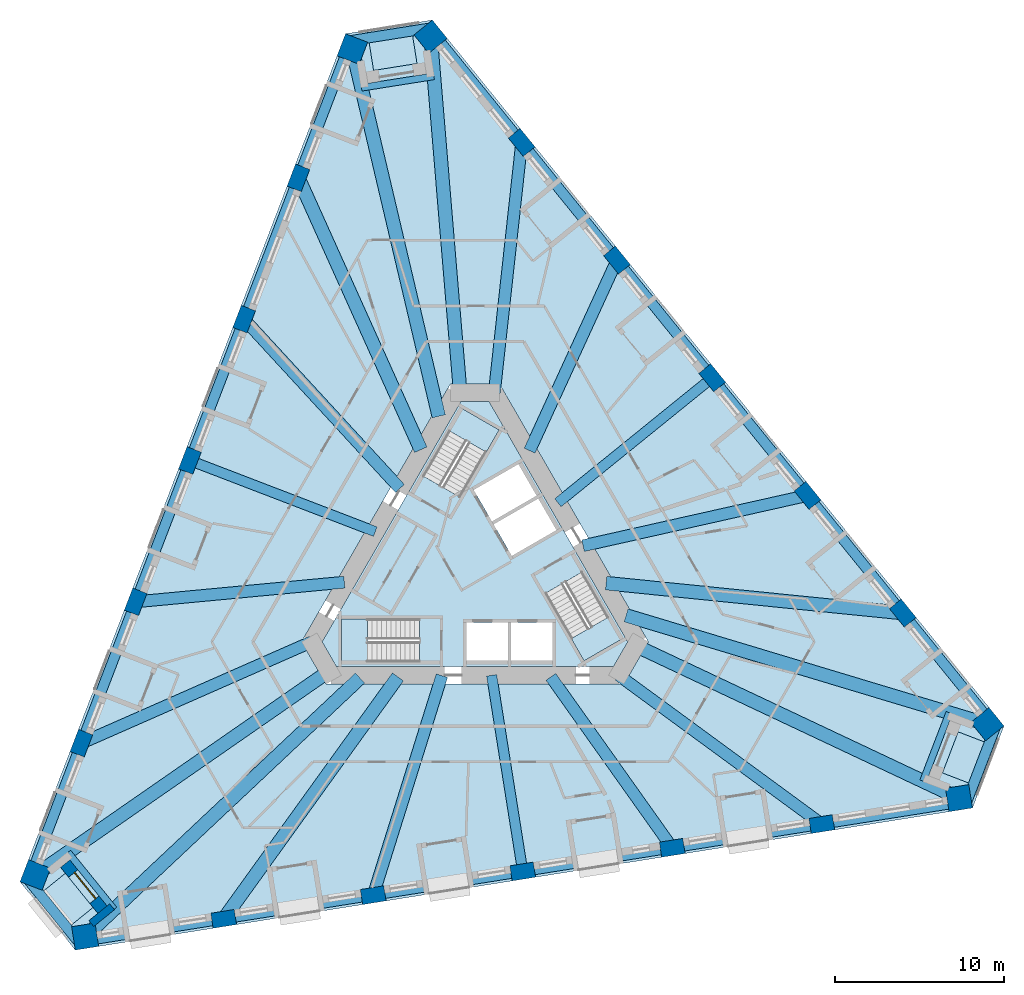
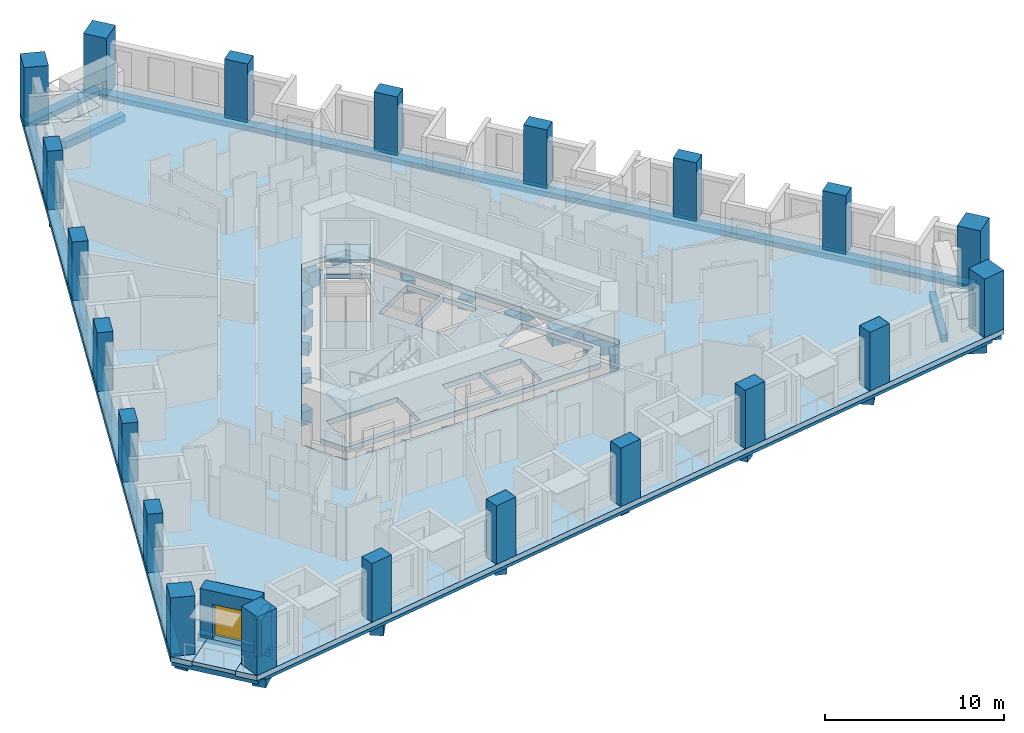
# One storey, part 1 of 14: 30 beams, 21 columns, 8 slabs, 2 walls, 1 door, 1 opening, 3 elements without a shape of their own.
"""IFC4 building model written with IfcOpenShell, lengths in metres."""

from ifc_helpers import new_model, si_unit, direction, frame, frame_2d, origin, origin_2d, place, context, subcontext, project, spatial, polyline, rectangle, outline, extrude, material, layer, layer_set, material_profile, profile_set, type_object, element, fill, aggregate, save


model = new_model("IFC4")

# Units and contexts
model_context = context("Model", 3, precision=1e-05, world=origin(), true_north=direction((0.0, 1.0)))
body_context = subcontext(model_context, "Body", "Model", "MODEL_VIEW")
ifc_project = project(units=[si_unit("LENGTHUNIT", "METRE"), si_unit("AREAUNIT", "SQUARE_METRE"), si_unit("VOLUMEUNIT", "CUBIC_METRE"), si_unit("PLANEANGLEUNIT", "RADIAN"), si_unit("MASSUNIT", "GRAM", prefix="KILO")], contexts=[model_context])

# Site, building, storey
site_placement = place(None, origin())
site = spatial("IfcSite", under=ifc_project, at=site_placement, CompositionType="ELEMENT")
building_placement = place(site_placement, origin())
building = spatial("IfcBuilding", under=site, at=building_placement, Name="Tramontana Tower", CompositionType="ELEMENT")
storey_placement = place(building_placement, frame((0.0, 0.0, 79.199951171875)))
storey = spatial("IfcBuildingStorey", under=building, at=storey_placement, Name="L17", CompositionType="ELEMENT", Elevation=79.199951171875)

# Columns
ifc_material_1 = material(Name="Concrete 70 MPa", Category="concrete")
ifc_material_profile_1 = material_profile(ifc_material_1, rectangle(XDim=1.39990234375, YDim=1.39990234375, at=origin_2d()), Name="Mega column 1400X1400 70 MPa")
ifc_profile_set_1 = profile_set([ifc_material_profile_1], Name="Concrete 70 MPa")
column_type_1 = type_object("IfcColumnType", Name="Mega column 1400X1400 70 MPa", PredefinedType="COLUMN", material=ifc_profile_set_1)
for number, where, z_axis, x_axis, name in (
    (1, (-7.24755859375, 30.7890625, 0.0), (0.0, 0.0, 1.0), (-0.358367949545, -0.933580426497, 0.0), "Mega column C1K1 L17"),
    (2, (-25.98779296875, -18.03125, 0.0), (0.0, 0.0, 1.0), (-0.358367949545, -0.933580426497, 0.0), "Mega column C1K2 L17"),
    (3, (-23.040283203125, -21.671142578125, 0.0), (0.0, 0.0, 1.0), (0.987688340595, 0.15643446504, 0.0), "Mega column C1K3 L17"),
    (4, (28.609375, -13.490478515625, 0.0), (0.0, 0.0, 1.0), (0.987688340595, 0.15643446504, 0.0), "Mega column C1K4 L17"),
    (5, (30.287841796875, -9.117919921875, 0.0), (0.0, 0.0, 1.0), (-0.62932039105, 0.777145961457, 0.0), "Mega column C1K5 L17"),
    (6, (-2.62158203125, 31.521728515625, 0.0), (0.0, 0.0, 1.0), (-0.62932039105, 0.777145961457, 0.0), "Mega column C1K6 L17"),
):
    element("IfcColumn", number, at=place(storey_placement, frame(where, z_axis=z_axis, x_axis=x_axis)), inside=storey, type_object=column_type_1, Name=name, PredefinedType="COLUMN", context=body_context, shape_type="SweptSolid", body=[
        extrude(rectangle(XDim=1.39990234375, YDim=1.39990234375, at=origin_2d()), origin(), (0.0, 0.0, 1.0), 4.0),
    ])
ifc_material_2 = material(Name="Concrete 55 MPa", Category="concrete")
ifc_material_profile_2 = material_profile(ifc_material_2, rectangle(XDim=1.39990234375, YDim=0.89990234375, at=origin_2d()), Name="Pier column 1400X900 55 MPa")
ifc_profile_set_2 = profile_set([ifc_material_profile_2], Name="Concrete 55 MPa")
column_type_2 = type_object("IfcColumnType", Name="Pier column 1400X900 55 MPa", PredefinedType="COLUMN", material=ifc_profile_set_2)
for number, where, z_axis, x_axis, name in (
    (7, (-10.43701171875, 23.177734375, 0.0), (0.0, 0.0, 1.0), (-0.358367949545, -0.933580426497, 0.0), "Pier column C1F01 L17"),
    (8, (-13.64404296875, 14.822998046875, 0.0), (0.0, 0.0, 1.0), (-0.358367949545, -0.933580426497, 0.0), "Pier column C1F02 L17"),
    (9, (-16.85107421875, 6.468505859375, 0.0), (0.0, 0.0, 1.0), (-0.358367949545, -0.933580426497, 0.0), "Pier column C1F03 L17"),
    (10, (-20.05810546875, -1.885986328125, 0.0), (0.0, 0.0, 1.0), (-0.358367949545, -0.933580426497, 0.0), "Pier column C1F04 L17"),
    (11, (-23.26513671875, -10.240478515625, 0.0), (0.0, 0.0, 1.0), (-0.358367949545, -0.933580426497, 0.0), "Pier column C1F05 L17"),
    (12, (-14.853759765625, -20.627685546875, 0.0), (0.0, 0.0, 1.0), (0.987688340595, 0.15643446504, 0.0), "Pier column C1F06 L17"),
    (13, (-6.01513671875, -19.227783203125, 0.0), (0.0, 0.0, 1.0), (0.987688340595, 0.15643446504, 0.0), "Pier column C1F07 L17"),
    (14, (2.82373046875, -17.827880859375, 0.0), (0.0, 0.0, 1.0), (0.987688340595, 0.15643446504, 0.0), "Pier column C1F08 L17"),
    (15, (11.662353515625, -16.427734375, 0.0), (0.0, 0.0, 1.0), (0.987688340595, 0.15643446504, 0.0), "Pier column C1F09 L17"),
    (16, (20.501220703125, -15.02783203125, 0.0), (0.0, 0.0, 1.0), (0.987688340595, 0.15643446504, 0.0), "Pier column C1F10 L17"),
    (17, (25.291015625, -2.550048828125, 0.0), (0.0, 0.0, 1.0), (-0.62932039105, 0.777145961457, 0.0), "Pier column C1F11 L17"),
    (18, (19.6591796875, 4.404541015625, 0.0), (0.0, 0.0, 1.0), (-0.62932039105, 0.777145961457, 0.0), "Pier column C1F12 L17"),
    (19, (14.027587890625, 11.359130859375, 0.0), (0.0, 0.0, 1.0), (-0.62932039105, 0.777145961457, 0.0), "Pier column C1F13 L17"),
    (20, (8.395751953125, 18.31396484375, 0.0), (0.0, 0.0, 1.0), (-0.62932039105, 0.777145961457, 0.0), "Pier column C1F14 L17"),
    (21, (2.763916015625, 25.2685546875, 0.0), (0.0, 0.0, 1.0), (-0.62932039105, 0.777145961457, 0.0), "Pier column C1F15 L17"),
):
    element("IfcColumn", number, at=place(storey_placement, frame(where, z_axis=z_axis, x_axis=x_axis)), inside=storey, type_object=column_type_2, Name=name, PredefinedType="COLUMN", context=body_context, shape_type="SweptSolid", body=[
        extrude(rectangle(XDim=1.39990234375, YDim=0.89990234375, at=origin_2d()), origin(), (0.0, 0.0, 1.0), 4.0),
    ])

# Beams
ifc_material_3 = material(Name="Concrete 40 MPa", Category="concrete")
ifc_material_profile_3 = material_profile(ifc_material_3, rectangle(XDim=0.60009765625, YDim=0.35009765625, at=origin_2d()), Name="RC EDGE BEAM 600X350 40 MPa")
ifc_profile_set_3 = profile_set([ifc_material_profile_3], Name="Concrete 40 MPa")
beam_type_1 = type_object("IfcBeamType", Name="RC EDGE BEAM 600X350 40 MPa", PredefinedType="SPANDREL", material=ifc_profile_set_3)
beam_1_placement = place(storey_placement, frame((-7.48095703125, 30.878662109375, -0.52490234375), z_axis=(-0.358365819965, -0.933581243964, 0.0), x_axis=(0.933581243964, -0.358365819965, 0.0)))
element("IfcBeam", 22, at=beam_1_placement, inside=storey, type_object=beam_type_1, Name="Spandrel beam S0 L17", PredefinedType="SPANDREL", context=body_context, shape_type="SweptSolid", body=[
    extrude(rectangle(XDim=0.60009765625, YDim=0.35009765625, at=origin_2d()), origin(), (0.0, 0.0, 1.0), 52.293701171875),
])
beam_2_placement = place(storey_placement, frame((-23.001220703125, -21.91796875, -0.52490234375), z_axis=(0.987688583718, 0.156432930012, 0.0), x_axis=(-0.156432930012, 0.987688583718, 0.0)))
element("IfcBeam", 23, at=beam_2_placement, inside=storey, type_object=beam_type_1, Name="Spandrel beam S1 L17", PredefinedType="SPANDREL", context=body_context, shape_type="SweptSolid", body=[
    extrude(rectangle(XDim=0.60009765625, YDim=0.35009765625, at=origin_2d()), origin(), (0.0, 0.0, 1.0), 52.29345703125),
])
beam_3_placement = place(storey_placement, frame((30.482177734375, -8.960693359375, -0.52490234375), z_axis=(-0.62931909415, 0.777147011664, 0.0), x_axis=(-0.777147011664, -0.62931909415, 0.0)))
element("IfcBeam", 24, at=beam_3_placement, inside=storey, type_object=beam_type_1, Name="Spandrel beam S2 L17", PredefinedType="SPANDREL", context=body_context, shape_type="SweptSolid", body=[
    extrude(rectangle(XDim=0.60009765625, YDim=0.35009765625, at=origin_2d()), origin(), (0.0, 0.0, 1.0), 52.293701171875),
])
beam_4_placement = place(storey_placement, frame((-2.447509765625, 32.061767578125, -0.52490234375), z_axis=(-0.987692388858, -0.156408903173, 0.0), x_axis=(0.156408903173, -0.987692388858, 0.0)))
element("IfcBeam", 25, at=beam_4_placement, inside=storey, type_object=beam_type_1, Name="Spandrel beam K0 L17", PredefinedType="SPANDREL", context=body_context, shape_type="SweptSolid", body=[
    extrude(rectangle(XDim=0.60009765625, YDim=0.35009765625, at=origin_2d()), origin(), (0.0, 0.0, 1.0), 5.1962890625),
])
for number, where, z_axis, x_axis, name in (
    (26, (-26.54248046875, -18.150634765625, -0.52490234375), (0.629325274503, -0.777142006889, 0.0), (0.777142006889, 0.629325274503, 0.0), "Spandrel beam K1 L17"),
    (27, (28.990234375, -13.9111328125, -0.52490234375), (0.358368174287, 0.933580340227, 0.0), (-0.933580340227, 0.358368174287, 0.0), "Spandrel beam K2 L17"),
):
    element("IfcBeam", number, at=place(storey_placement, frame(where, z_axis=z_axis, x_axis=x_axis)), inside=storey, type_object=beam_type_1, Name=name, PredefinedType="SPANDREL", context=body_context, shape_type="SweptSolid", body=[
        extrude(rectangle(XDim=0.60009765625, YDim=0.35009765625, at=origin_2d()), origin(), (0.0, 0.0, 1.0), 5.196044921875),
    ])
ifc_material_4 = material(Name="Concrete 40 MPa", Category="concrete")
ifc_material_profile_4 = material_profile(ifc_material_4, rectangle(XDim=0.60009765625, YDim=0.699951171875, at=origin_2d()), Name="RC GIRDER 600X700 40 MPa")
ifc_profile_set_4 = profile_set([ifc_material_profile_4], Name="Concrete 40 MPa")
beam_type_2 = type_object("IfcBeamType", Name="RC GIRDER 600X700 40 MPa", PredefinedType="BEAM", material=ifc_profile_set_4)
beam_5_placement = place(storey_placement, frame((-16.85107421875, 6.468505859375, -0.699951171875), z_axis=(0.933580146246, -0.358368679624, 0.0), x_axis=(0.358368679624, 0.933580146246, 0.0)))
element("IfcBeam", 28, at=beam_5_placement, inside=storey, type_object=beam_type_2, Name="Radial girder C1F03 L17", PredefinedType="BEAM", context=body_context, shape_type="SweptSolid", body=[
    extrude(rectangle(XDim=0.60009765625, YDim=0.699951171875, at=origin_2d()), origin(), (0.0, 0.0, 1.0), 11.74072265625),
])
for number, where, z_axis, x_axis, name in (
    (29, (2.823486328125, -17.827880859375, -0.699951171875), (-0.156412100064, 0.9876918826, 0.0), (-0.9876918826, -0.156412100064, 0.0), "Radial girder C1F08 L17"),
    (30, (14.027587890625, 11.359130859375, -0.699951171875), (-0.777154793409, -0.62930948434, 0.0), (0.62930948434, -0.777154793409, 0.0), "Radial girder C1F13 L17"),
):
    element("IfcBeam", number, at=place(storey_placement, frame(where, z_axis=z_axis, x_axis=x_axis)), inside=storey, type_object=beam_type_2, Name=name, PredefinedType="BEAM", context=body_context, shape_type="SweptSolid", body=[
        extrude(rectangle(XDim=0.60009765625, YDim=0.699951171875, at=origin_2d()), origin(), (0.0, 0.0, 1.0), 11.740966796875),
    ])
ifc_material_5 = material(Name="Concrete 40 MPa", Category="concrete")
ifc_material_profile_5 = material_profile(ifc_material_5, rectangle(XDim=0.699951171875, YDim=0.89990234375, at=origin_2d()), Name="RC GIRDER 700X900 40 MPa")
ifc_profile_set_5 = profile_set([ifc_material_profile_5], Name="Concrete 40 MPa")
beam_type_3 = type_object("IfcBeamType", Name="RC GIRDER 700X900 40 MPa", PredefinedType="BEAM", material=ifc_profile_set_5)
beam_6_placement = place(storey_placement, frame((-13.64404296875, 14.822998046875, -0.800048828125), z_axis=(0.677237750705, -0.735764248261, 0.0), x_axis=(0.735764248261, 0.677237750705, 0.0)))
element("IfcBeam", 31, at=beam_6_placement, inside=storey, type_object=beam_type_3, Name="Radial girder C1F02 L17", PredefinedType="BEAM", context=body_context, shape_type="SweptSolid", body=[
    extrude(rectangle(XDim=0.699951171875, YDim=0.89990234375, at=origin_2d()), origin(), (0.0, 0.0, 1.0), 13.598876953125),
])
beam_7_placement = place(storey_placement, frame((-20.05810546875, -1.885986328125, -0.800048828125), z_axis=(0.995608960431, 0.093609817375, 0.0), x_axis=(-0.093609817375, 0.995608960431, 0.0)))
element("IfcBeam", 32, at=beam_7_placement, inside=storey, type_object=beam_type_3, Name="Radial girder C1F04 L17", PredefinedType="BEAM", context=body_context, shape_type="SweptSolid", body=[
    extrude(rectangle(XDim=0.699951171875, YDim=0.89990234375, at=origin_2d()), origin(), (0.0, 0.0, 1.0), 12.3935546875),
])
beam_8_placement = place(storey_placement, frame((-23.26513671875, -10.240478515625, -0.800048828125), z_axis=(0.915262520168, 0.402857939199, 0.0), x_axis=(-0.402857939199, 0.915262520168, 0.0)))
element("IfcBeam", 33, at=beam_8_placement, inside=storey, type_object=beam_type_3, Name="Radial girder C1F05 L17", PredefinedType="BEAM", context=body_context, shape_type="SweptSolid", body=[
    extrude(rectangle(XDim=0.699951171875, YDim=0.89990234375, at=origin_2d()), origin(), (0.0, 0.0, 1.0), 14.87841796875),
])
beam_9_placement = place(storey_placement, frame((-6.01513671875, -19.227783203125, -0.800048828125), z_axis=(0.298567329493, 0.954388573779, 0.0), x_axis=(-0.954388573779, 0.298567329493, 0.0)))
element("IfcBeam", 34, at=beam_9_placement, inside=storey, type_object=beam_type_3, Name="Radial girder C1F07 L17", PredefinedType="BEAM", context=body_context, shape_type="SweptSolid", body=[
    extrude(rectangle(XDim=0.699951171875, YDim=0.89990234375, at=origin_2d()), origin(), (0.0, 0.0, 1.0), 13.599365234375),
])
beam_10_placement = place(storey_placement, frame((11.662353515625, -16.427978515625, -0.800048828125), z_axis=(-0.578872935906, 0.815417760461, 0.0), x_axis=(-0.815417760461, -0.578872935906, 0.0)))
element("IfcBeam", 35, at=beam_10_placement, inside=storey, type_object=beam_type_3, Name="Radial girder C1F09 L17", PredefinedType="BEAM", context=body_context, shape_type="SweptSolid", body=[
    extrude(rectangle(XDim=0.699951171875, YDim=0.89990234375, at=origin_2d()), origin(), (0.0, 0.0, 1.0), 12.3935546875),
])
beam_11_placement = place(storey_placement, frame((20.501220703125, -15.02783203125, -0.800048828125), z_axis=(-0.806528613825, 0.591195056712, 0.0), x_axis=(-0.591195056712, -0.806528613825, 0.0)))
element("IfcBeam", 36, at=beam_11_placement, inside=storey, type_object=beam_type_3, Name="Radial girder C1F10 L17", PredefinedType="BEAM", context=body_context, shape_type="SweptSolid", body=[
    extrude(rectangle(XDim=0.699951171875, YDim=0.89990234375, at=origin_2d()), origin(), (0.0, 0.0, 1.0), 14.878662109375),
])
beam_12_placement = place(storey_placement, frame((19.6591796875, 4.404541015625, -0.800048828125), z_axis=(-0.975807938002, -0.218629522556, 0.0), x_axis=(0.218629522556, -0.975807938002, 0.0)))
element("IfcBeam", 37, at=beam_12_placement, inside=storey, type_object=beam_type_3, Name="Radial girder C1F12 L17", PredefinedType="BEAM", context=body_context, shape_type="SweptSolid", body=[
    extrude(rectangle(XDim=0.699951171875, YDim=0.89990234375, at=origin_2d()), origin(), (0.0, 0.0, 1.0), 13.59912109375),
])
beam_13_placement = place(storey_placement, frame((8.395751953125, 18.31396484375, -0.800048828125), z_axis=(-0.416724572993, -0.909032799333, 0.0), x_axis=(0.909032799333, -0.416724572993, 0.0)))
element("IfcBeam", 38, at=beam_13_placement, inside=storey, type_object=beam_type_3, Name="Radial girder C1F14 L17", PredefinedType="BEAM", context=body_context, shape_type="SweptSolid", body=[
    extrude(rectangle(XDim=0.699951171875, YDim=0.89990234375, at=origin_2d()), origin(), (0.0, 0.0, 1.0), 12.393798828125),
])
beam_14_placement = place(storey_placement, frame((2.763916015625, 25.2685546875, -0.800048828125), z_axis=(-0.108724057734, -0.994071968858, 0.0), x_axis=(0.994071968858, -0.108724057734, 0.0)))
element("IfcBeam", 39, at=beam_14_placement, inside=storey, type_object=beam_type_3, Name="Radial girder C1F15 L17", PredefinedType="BEAM", context=body_context, shape_type="SweptSolid", body=[
    extrude(rectangle(XDim=0.699951171875, YDim=0.89990234375, at=origin_2d()), origin(), (0.0, 0.0, 1.0), 14.878662109375),
])
ifc_material_6 = material(Name="Concrete 40 MPa", Category="concrete")
ifc_material_profile_6 = material_profile(ifc_material_6, rectangle(XDim=0.800048828125, YDim=1.10009765625, at=origin_2d()), Name="RC GIRDER 800X1100 40 MPa")
ifc_profile_set_6 = profile_set([ifc_material_profile_6], Name="Concrete 40 MPa")
beam_type_4 = type_object("IfcBeamType", Name="RC GIRDER 800X1100 40 MPa", PredefinedType="BEAM", material=ifc_profile_set_6)
beam_15_placement = place(storey_placement, frame((-7.24755859375, 30.7890625, -0.89990234375), z_axis=(0.229129631405, -0.973395917401, 0.0), x_axis=(0.973395917401, 0.229129631405, 0.0)))
element("IfcBeam", 40, at=beam_15_placement, inside=storey, type_object=beam_type_4, Name="Radial girder C1K1 L17", PredefinedType="BEAM", context=body_context, shape_type="SweptSolid", body=[
    extrude(rectangle(XDim=0.800048828125, YDim=1.10009765625, at=origin_2d()), origin(), (0.0, 0.0, 1.0), 22.30322265625),
])
beam_16_placement = place(storey_placement, frame((-10.43701171875, 23.177490234375, -0.89990234375), z_axis=(0.410600793892, -0.91181521596, 0.0), x_axis=(0.91181521596, 0.410600793892, 0.0)))
element("IfcBeam", 41, at=beam_16_placement, inside=storey, type_object=beam_type_4, Name="Radial girder C1F01 L17", PredefinedType="BEAM", context=body_context, shape_type="SweptSolid", body=[
    extrude(rectangle(XDim=0.800048828125, YDim=1.10009765625, at=origin_2d()), origin(), (0.0, 0.0, 1.0), 17.626220703125),
])
beam_17_placement = place(storey_placement, frame((-25.98779296875, -18.03125, -0.89990234375), z_axis=(0.821603252741, 0.570059729402, 0.0), x_axis=(-0.570059729402, 0.821603252741, 0.0)))
element("IfcBeam", 42, at=beam_17_placement, inside=storey, type_object=beam_type_4, Name="Radial girder C1K2 L17", PredefinedType="BEAM", context=body_context, shape_type="SweptSolid", body=[
    extrude(rectangle(XDim=0.800048828125, YDim=1.10009765625, at=origin_2d()), origin(), (0.0, 0.0, 1.0), 21.11767578125),
])
beam_18_placement = place(storey_placement, frame((-23.040283203125, -21.671142578125, -0.89990234375), z_axis=(0.728416554247, 0.685134529489, 0.0), x_axis=(-0.685134529489, 0.728416554247, 0.0)))
element("IfcBeam", 43, at=beam_18_placement, inside=storey, type_object=beam_type_4, Name="Radial girder C1K3 L17", PredefinedType="BEAM", context=body_context, shape_type="SweptSolid", body=[
    extrude(rectangle(XDim=0.800048828125, YDim=1.10009765625, at=origin_2d()), origin(), (0.0, 0.0, 1.0), 22.30322265625),
])
beam_19_placement = place(storey_placement, frame((-14.85400390625, -20.627685546875, -0.89990234375), z_axis=(0.584356173005, 0.81149729702, 0.0), x_axis=(-0.81149729702, 0.584356173005, 0.0)))
element("IfcBeam", 44, at=beam_19_placement, inside=storey, type_object=beam_type_4, Name="Radial girder C1F06 L17", PredefinedType="BEAM", context=body_context, shape_type="SweptSolid", body=[
    extrude(rectangle(XDim=0.800048828125, YDim=1.10009765625, at=origin_2d()), origin(), (0.0, 0.0, 1.0), 17.626220703125),
])
beam_20_placement = place(storey_placement, frame((28.609375, -13.490478515625, -0.89990234375), z_axis=(-0.904488564757, 0.426497873645, 0.0), x_axis=(-0.426497873645, -0.904488564757, 0.0)))
element("IfcBeam", 45, at=beam_20_placement, inside=storey, type_object=beam_type_4, Name="Radial girder C1K4 L17", PredefinedType="BEAM", context=body_context, shape_type="SweptSolid", body=[
    extrude(rectangle(XDim=0.800048828125, YDim=1.10009765625, at=origin_2d()), origin(), (0.0, 0.0, 1.0), 21.11767578125),
])
beam_21_placement = place(storey_placement, frame((30.287841796875, -9.117919921875, -0.89990234375), z_axis=(-0.957551991149, 0.288260618619, 0.0), x_axis=(-0.288260618619, -0.957551991149, 0.0)))
element("IfcBeam", 46, at=beam_21_placement, inside=storey, type_object=beam_type_4, Name="Radial girder C1K5 L17", PredefinedType="BEAM", context=body_context, shape_type="SweptSolid", body=[
    extrude(rectangle(XDim=0.800048828125, YDim=1.10009765625, at=origin_2d()), origin(), (0.0, 0.0, 1.0), 22.303466796875),
])
beam_22_placement = place(storey_placement, frame((25.291015625, -2.550048828125, -0.89990234375), z_axis=(-0.99495498196, 0.100322399654, 0.0), x_axis=(-0.100322399654, -0.99495498196, 0.0)))
element("IfcBeam", 47, at=beam_22_placement, inside=storey, type_object=beam_type_4, Name="Radial girder C1F11 L17", PredefinedType="BEAM", context=body_context, shape_type="SweptSolid", body=[
    extrude(rectangle(XDim=0.800048828125, YDim=1.10009765625, at=origin_2d()), origin(), (0.0, 0.0, 1.0), 17.626220703125),
])
beam_23_placement = place(storey_placement, frame((-2.62158203125, 31.521728515625, -0.89990234375), z_axis=(0.082880913658, -0.996559458412, 0.0), x_axis=(0.996559458412, 0.082880913658, 0.0)))
element("IfcBeam", 48, at=beam_23_placement, inside=storey, type_object=beam_type_4, Name="Radial girder C1K6 L17", PredefinedType="BEAM", context=body_context, shape_type="SweptSolid", body=[
    extrude(rectangle(XDim=0.800048828125, YDim=1.10009765625, at=origin_2d()), origin(), (0.0, 0.0, 1.0), 21.11767578125),
])
ifc_material_7 = material(Name="Concrete 40 MPa", Category="concrete")
ifc_material_profile_7 = material_profile(ifc_material_7, rectangle(XDim=0.39990234375, YDim=0.5, at=origin_2d()), Name="RC TRIM BEAM 400X500 40 MPa")
ifc_profile_set_7 = profile_set([ifc_material_profile_7], Name="Concrete 40 MPa")
beam_type_5 = type_object("IfcBeamType", Name="RC TRIM BEAM 400X500 40 MPa", PredefinedType="JOIST", material=ifc_profile_set_7)
for number, where, z_axis, x_axis, name in (
    (49, (-2.4267578125, 29.1796875, -0.599853515625), (-0.987688889444, -0.156430999708, 0.0), (0.156430999708, -0.987688889444, 0.0), "Trimmer beam K0 L17"),
    (50, (-24.056884765625, -16.69140625, -0.599853515625), (0.629326191545, -0.777141264273, 0.0), (0.777141264273, 0.629326191545, 0.0), "Trimmer beam K1 L17"),
    (51, (26.483642578125, -12.48828125, -0.599853515625), (0.358345094406, 0.933589199442, 0.0), (-0.933589199442, 0.358345094406, 0.0), "Trimmer beam K2 L17"),
):
    element("IfcBeam", number, at=place(storey_placement, frame(where, z_axis=z_axis, x_axis=x_axis)), inside=storey, type_object=beam_type_5, Name=name, PredefinedType="JOIST", context=body_context, shape_type="SweptSolid", body=[
        extrude(rectangle(XDim=0.39990234375, YDim=0.5, at=origin_2d()), origin(), (0.0, 0.0, 1.0), 4.335693359375),
    ])

# Slabs
ifc_material_8 = material(Name="Precast concrete 50 MPa", Category="concrete")
ifc_layer_1 = layer(ifc_material_8, 0.25)
ifc_layer_set_1 = layer_set([ifc_layer_1], Name="LT1 Loggia floor tray 250")
slab_type_1 = type_object("IfcSlabType", Name="LT1 Loggia floor tray 250", PredefinedType="FLOOR", material=ifc_layer_set_1)
slab_1_placement = place(storey_placement, frame((0.0, 0.0, -0.25)))
element("IfcSlab", 52, at=slab_1_placement, inside=storey, type_object=slab_type_1, Name="Corner loggia floor L17 K10", PredefinedType="FLOOR", context=body_context, shape_type="SweptSolid", body=[
    extrude(outline(polyline([(-3.800048828125, 32.30322265625), (-3.424560546875, 29.932861328125), (-5.99267578125, 29.526123046875), (-6.3681640625, 31.896484375), (-3.800048828125, 32.30322265625)])), origin(), (0.0, 0.0, 1.0), 0.25),
])
slab_2_placement = place(storey_placement, frame((0.0, 0.0, -0.25)))
element("IfcSlab", 53, at=slab_2_placement, inside=storey, type_object=slab_type_1, Name="Corner loggia floor L17 K11", PredefinedType="FLOOR", context=body_context, shape_type="SweptSolid", body=[
    extrude(outline(polyline([(-26.075439453125, -19.442626953125), (-24.210205078125, -17.932373046875), (-22.573974609375, -19.952880859375), (-24.439208984375, -21.463134765625), (-26.075439453125, -19.442626953125)])), origin(), (0.0, 0.0, 1.0), 0.25),
])
slab_3_placement = place(storey_placement, frame((0.0, 0.0, -0.25)))
element("IfcSlab", 54, at=slab_3_placement, inside=storey, type_object=slab_type_1, Name="Corner loggia floor L17 K12", PredefinedType="FLOOR", context=body_context, shape_type="SweptSolid", body=[
    extrude(outline(polyline([(29.87548828125, -12.860595703125), (27.635009765625, -12.00048828125), (28.566650390625, -9.5732421875), (30.80712890625, -10.433349609375), (29.87548828125, -12.860595703125)])), origin(), (0.0, 0.0, 1.0), 0.25),
])
ifc_material_9 = material(Name="Concrete 40 MPa", Category="concrete")
ifc_layer_2 = layer(ifc_material_9, 0.35009765625)
ifc_layer_set_2 = layer_set([ifc_layer_2], Name="PT FLAT SLAB 350 40 MPa")
slab_type_2 = type_object("IfcSlabType", Name="PT FLAT SLAB 350 40 MPa", PredefinedType="FLOOR", material=ifc_layer_set_2)
slab_4_placement = place(storey_placement, frame((0.0, 0.0, -0.349853515625)))
element("IfcSlab", 55, at=slab_4_placement, inside=storey, type_object=slab_type_2, Name="Floor slab L17", PredefinedType="FLOOR", context=body_context, shape_type="SweptSolid", body=[
    extrude(outline(polyline([(30.80712890625, -10.433349609375), (28.566650390625, -9.5732421875), (27.635009765625, -12.00048828125), (29.87548828125, -12.860595703125), (29.410400390625, -14.072509765625), (-23.622314453125, -22.471923828125), (-24.439208984375, -21.463134765625), (-22.573974609375, -19.952880859375), (-24.210205078125, -17.932373046875), (-26.075439453125, -19.442626953125), (-26.892333984375, -18.433837890625), (-7.650146484375, 31.693359375), (-6.3681640625, 31.896484375), (-5.99267578125, 29.526123046875), (-3.4248046875, 29.932861328125), (-3.800048828125, 32.30322265625), (-2.51806640625, 32.50634765625), (31.2724609375, -9.221435546875), (30.80712890625, -10.433349609375)]), holes=[polyline([(-10.248046875, -4.25), (-8.8046875, -6.75), (8.8046875, -6.75), (10.248046875, -4.25), (1.443359375, 11.0), (-1.443359375, 11.0), (-10.248046875, -4.25)])]), origin(), (0.0, 0.0, 1.0), 0.349853515625),
])
slab_5_placement = place(storey_placement, frame((0.0, 0.0, -0.349853515625)))
element("IfcSlab", 56, at=slab_5_placement, inside=storey, type_object=slab_type_2, Name="Core floor slab L17", PredefinedType="FLOOR", context=body_context, shape_type="SweptSolid", body=[
    extrude(outline(polyline([(9.035400390625, -4.25), (8.198486328125, -5.699951171875), (-8.198486328125, -5.699951171875), (-9.035400390625, -4.25), (-0.837158203125, 9.949951171875), (0.837158203125, 9.949951171875), (9.035400390625, -4.25)]), holes=[polyline([(8.659912109375, -4.099365234375), (6.35986328125, -0.115478515625), (4.151611328125, -1.390625), (6.451416015625, -5.374267578125), (8.659912109375, -4.099365234375)]), polyline([(3.829833984375, 4.2666015625), (1.101806640625, 2.69140625), (2.177001953125, 0.82958984375), (4.90478515625, 2.404541015625), (3.829833984375, 4.2666015625)]), polyline([(4.590087890625, -3.10009765625), (2.139892578125, -3.10009765625), (2.139892578125, -5.449951171875), (4.590087890625, -5.449951171875), (4.590087890625, -3.10009765625)]), polyline([(2.65478515625, 6.3017578125), (-0.072998046875, 4.726806640625), (1.001953125, 2.86474609375), (3.729736328125, 4.439697265625), (2.65478515625, 6.3017578125)]), polyline([(1.93994140625, -5.449951171875), (1.93994140625, -3.10009765625), (-0.510009765625, -3.10009765625), (-0.510009765625, -5.449951171875), (1.93994140625, -5.449951171875)]), polyline([(-0.77978515625, 9.54931640625), (-3.079833984375, 5.565673828125), (-0.87158203125, 4.29052734375), (1.428466796875, 8.2744140625), (-0.77978515625, 9.54931640625)]), polyline([(-7.8798828125, -5.449951171875), (-3.280029296875, -5.449951171875), (-3.280029296875, -2.89990234375), (-7.8798828125, -2.89990234375), (-7.8798828125, -5.449951171875)])]), origin(), (0.0, 0.0, 1.0), 0.349853515625),
])

# Stair, slab
ifc_material_10 = material(Name="Concrete 40 MPa", Category="concrete")
stair_type = type_object("IfcStairType", Name="EXIT STAIR 24 RISERS", PredefinedType="HALF_TURN_STAIR", material=ifc_material_10)
stair_1_placement = place(storey_placement, origin())
stair_1 = element("IfcStair", 57, at=stair_1_placement, inside=storey, type_object=stair_type, Name="L17 Exit stair ST1", PredefinedType="HALF_TURN_STAIR")
ifc_material_11 = material(Name="Concrete 40 MPa", Category="concrete")
ifc_layer_3 = layer(ifc_material_11, 0.199951171875)
ifc_layer_set_3 = layer_set([ifc_layer_3], Name="STAIR LANDING 200")
slab_type_3 = type_object("IfcSlabType", Name="STAIR LANDING 200", PredefinedType="LANDING", material=ifc_layer_set_3)
slab_6_placement = place(storey_placement, frame((0.0, 0.0, 1.800048828125)))
slab_6 = element("IfcSlab", 58, at=slab_6_placement, type_object=slab_type_3, Name="ST1 landing 1", PredefinedType="LANDING", context=body_context, shape_type="SweptSolid", body=[
    extrude(outline(polyline([(0.66845703125, 6.9580078125), (1.428466796875, 8.274169921875), (-0.77978515625, 9.54931640625), (-1.539794921875, 8.23291015625), (0.66845703125, 6.9580078125)])), origin(), (0.0, 0.0, 1.0), 0.199951171875),
])
aggregate(stair_1, [slab_6])

stair_2_placement = place(storey_placement, origin())
stair_2 = element("IfcStair", 59, at=stair_2_placement, inside=storey, type_object=stair_type, Name="L17 Exit stair ST2", PredefinedType="HALF_TURN_STAIR")
slab_7_placement = place(storey_placement, frame((0.0, 0.0, 1.800048828125)))
slab_7 = element("IfcSlab", 60, at=slab_7_placement, type_object=slab_type_3, Name="ST2 landing 1", PredefinedType="LANDING", context=body_context, shape_type="SweptSolid", body=[
    extrude(outline(polyline([(-6.360107421875, -2.89990234375), (-7.8798828125, -2.89990234375), (-7.8798828125, -5.449951171875), (-6.360107421875, -5.449951171875), (-6.360107421875, -2.89990234375)])), origin(), (0.0, 0.0, 1.0), 0.199951171875),
])
aggregate(stair_2, [slab_7])

stair_3_placement = place(storey_placement, origin())
stair_3 = element("IfcStair", 61, at=stair_3_placement, inside=storey, type_object=stair_type, Name="L17 Exit stair ST3", PredefinedType="HALF_TURN_STAIR")
slab_8_placement = place(storey_placement, frame((0.0, 0.0, 1.800048828125)))
slab_8 = element("IfcSlab", 62, at=slab_8_placement, type_object=slab_type_3, Name="ST3 landing 1", PredefinedType="LANDING", context=body_context, shape_type="SweptSolid", body=[
    extrude(outline(polyline([(5.69140625, -4.057861328125), (6.451416015625, -5.374267578125), (8.659912109375, -4.099365234375), (7.89990234375, -2.782958984375), (5.69140625, -4.057861328125)])), origin(), (0.0, 0.0, 1.0), 0.199951171875),
])
aggregate(stair_3, [slab_8])

# Wall
ifc_material_12 = material(Name="Precast concrete 60 MPa", Category="concrete")
ifc_layer_4 = layer(ifc_material_12, 0.449951171875)
ifc_layer_set_4 = layer_set([ifc_layer_4], Name="Precast concrete 60 MPa, 450 mm")
wall_type_1 = type_object("IfcWallType", Name="EW1 Stone-faced precast wall 450", PredefinedType="SOLIDWALL", material=ifc_layer_set_4)
wall_1_placement = place(storey_placement, frame((-22.677001953125, -20.90478515625, 0.0), z_axis=(0.0, 0.0, 1.0), x_axis=(0.777205264571, 0.629247150747, 0.0)))
element("IfcWall", 63, at=wall_1_placement, inside=storey, type_object=wall_type_1, Name="Corner loggia side wall L17 K11l", PredefinedType="SOLIDWALL", context=body_context, shape_type="SweptSolid", body=[
    extrude(rectangle(XDim=1.5791015625, YDim=0.449951171875, at=frame_2d((0.78955078125, 0.0))), origin(), (0.0, 0.0, 1.0), 2.550048828125),
])

# Wall, opening, door
ifc_material_13 = material(Name="Precast concrete 60 MPa", Category="concrete")
ifc_layer_5 = layer(ifc_material_13, 0.89990234375)
ifc_layer_set_5 = layer_set([ifc_layer_5], Name="EW2 Stone-faced corner loggia wall 900")
wall_type_2 = type_object("IfcWallType", Name="EW2 Stone-faced corner loggia wall 900", PredefinedType="SOLIDWALL", material=ifc_layer_set_5)
wall_2_placement = place(storey_placement, frame((-21.941162109375, -20.019287109375, 0.0), z_axis=(0.0, 0.0, 1.0), x_axis=(-0.629328651904, 0.777139271876, 0.0)))
wall_2 = element("IfcWall", 64, at=wall_2_placement, inside=storey, type_object=wall_type_2, Name="Corner loggia wall L17 K11", PredefinedType="SOLIDWALL", context=body_context, shape_type="SweptSolid", body=[
    extrude(rectangle(XDim=3.5, YDim=0.89990234375, at=frame_2d((1.75, 0.0))), origin(), (0.0, 0.0, 1.0), 3.300048828125),
])
opening_placement = place(wall_2_placement, frame((0.75, 0.0, 0.0)))
opening = element("IfcOpeningElement", 65, at=opening_placement, cuts=wall_2, Name="Opening BD-11C", PredefinedType="OPENING", context=body_context, shape_type="SweptSolid", body=[
    extrude(rectangle(XDim=2.0, YDim=2.39990234375, at=frame_2d((1.0, 1.199951171875))), frame((0.0, 0.4599609375, 0.0), z_axis=(0.0, -1.0, 0.0), x_axis=(1.0, 0.0, 0.0)), (0.0, 0.0, 1.0), 0.919921875),
])
ifc_material_14 = material(Name="Aluminum frame, double glazing unit", Category="aluminium")
door_type = type_object("IfcDoorType", Name="BC1 Sliding door 2 x 2.4", OperationType="SLIDING_TO_LEFT", PredefinedType="DOOR", material=ifc_material_14)
door_placement = place(opening_placement, origin())
door = element("IfcDoor", 66, at=door_placement, inside=storey, type_object=door_type, Name="Corner loggia door L17 K11", OperationType="SLIDING_TO_LEFT", OverallHeight=2.39990234375, OverallWidth=2.0, PredefinedType="DOOR", context=body_context, shape_type="SweptSolid", body=[
    extrude(rectangle(XDim=2.0, YDim=2.39990234375, at=frame_2d((1.0, 1.199951171875))), frame((0.0, 0.02490234375, 0.0), z_axis=(0.0, -1.0, 0.0), x_axis=(1.0, 0.0, 0.0)), (0.0, 0.0, 1.0), 0.050048828125),
])
fill(opening, door)

save(model, "model.ifc")
